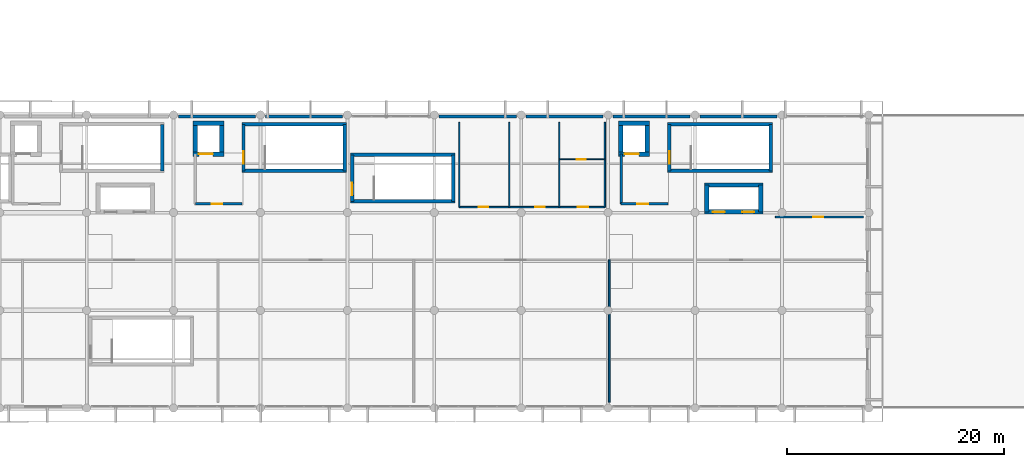
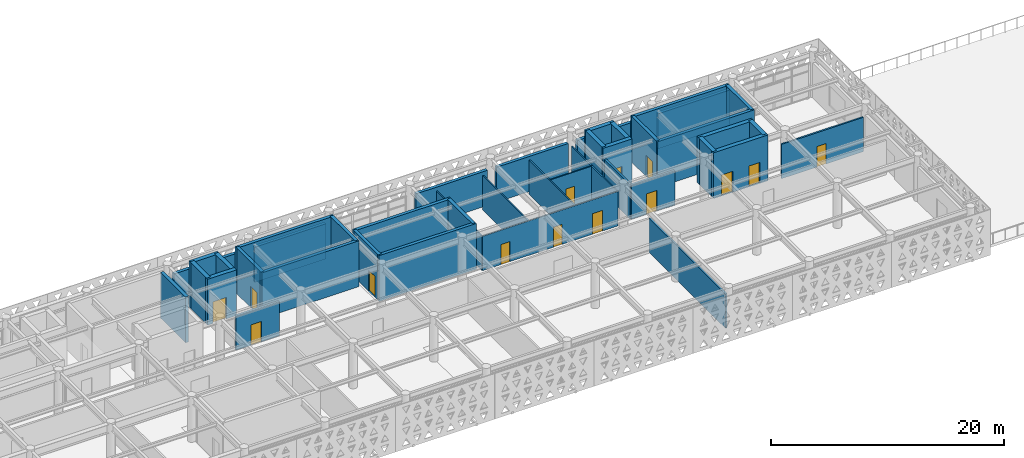
# One storey, part 20 of 26: 42 walls, 14 doors, 14 openings.
"""IFC4 building model written with IfcOpenShell, lengths in metres."""

from ifc_helpers import new_model, si_unit, direction, frame, frame_2d, origin, place, context, subcontext, project, spatial, rectangle, extrude, material, layer, layer_set, type_object, element, fill, save


model = new_model("IFC4")

# Units and contexts
model_context = context("Model", 3, precision=1e-05, world=origin(), true_north=direction((0.0, 1.0)))
body_context = subcontext(model_context, "Body", "Model", "MODEL_VIEW")
ifc_project = project(units=[si_unit("LENGTHUNIT", "METRE"), si_unit("AREAUNIT", "SQUARE_METRE"), si_unit("VOLUMEUNIT", "CUBIC_METRE"), si_unit("PLANEANGLEUNIT", "RADIAN"), si_unit("MASSUNIT", "GRAM", prefix="KILO")], contexts=[model_context])

# Site, building, storey
site_placement = place(None, origin())
site = spatial("IfcSite", under=ifc_project, at=site_placement, CompositionType="ELEMENT")
building_placement = place(site_placement, origin())
building = spatial("IfcBuilding", under=site, at=building_placement, Name="Tlacozan Convention Centre", CompositionType="ELEMENT")
storey_placement = place(building_placement, frame((0.0, 0.0, 21.0)))
storey = spatial("IfcBuildingStorey", under=building, at=storey_placement, Name="L04", CompositionType="ELEMENT", Elevation=21.0)

# Walls
ifc_material_1 = material(Name="Volcanic Cantera Stone Masonry", Category="masonry")
ifc_layer_1 = layer(ifc_material_1, 0.300048828125)
ifc_layer_set_1 = layer_set([ifc_layer_1], Name="Volcanic Cantera Stone Masonry")
wall_type_1 = type_object("IfcWallType", Name="Congress Spandrel Backup Wall 300", PredefinedType="SOLIDWALL", material=ifc_layer_set_1)
for number, where, z_axis, x_axis, name in (
    (1, (32.449951171875, 26.840087890625, 0.0), (0.0, 0.0, 1.0), (1.0, 0.0, 0.0), "L04 Congress Spandrel Backup Wall 300 142"),
    (2, (40.449951171875, 26.840087890625, 0.0), (0.0, 0.0, 1.0), (1.0, 0.0, 0.0), "L04 Congress Spandrel Backup Wall 300 143"),
    (3, (56.449951171875, 26.840087890625, 0.0), (0.0, 0.0, 1.0), (1.0, 0.0, 0.0), "L04 Congress Spandrel Backup Wall 300 144"),
    (4, (64.449951171875, 26.840087890625, 0.0), (0.0, 0.0, 1.0), (1.0, 0.0, 0.0), "L04 Congress Spandrel Backup Wall 300 145"),
    (5, (72.449951171875, 26.840087890625, 0.0), (0.0, 0.0, 1.0), (1.0, 0.0, 0.0), "L04 Congress Spandrel Backup Wall 300 146"),
    (6, (80.449951171875, 26.840087890625, 0.0), (0.0, 0.0, 1.0), (1.0, 0.0, 0.0), "L04 Congress Spandrel Backup Wall 300 147"),
):
    element("IfcWall", number, at=place(storey_placement, frame(where, z_axis=z_axis, x_axis=x_axis)), inside=storey, type_object=wall_type_1, Name=name, PredefinedType="SOLIDWALL", context=body_context, shape_type="SweptSolid", body=[
        extrude(rectangle(XDim=7.10009765625, YDim=0.300048828125, at=frame_2d((3.550048828125, 0.0))), origin(), (0.0, 0.0, 1.0), 3.679931640625),
    ])

# Wall, opening, door
ifc_material_2 = material(Name="Concrete C40/50", Category="concrete")
ifc_layer_2 = layer(ifc_material_2, 0.409912109375)
ifc_layer_set_2 = layer_set([ifc_layer_2], Name="Concrete C40/50")
wall_type_2 = type_object("IfcWallType", Name="Core Shear Wall RC 410", PredefinedType="SHEAR", material=ifc_layer_set_2)
wall_1_placement = place(storey_placement, frame((72.97509765625, 23.3798828125, 0.0), z_axis=(0.0, 0.0, 1.0), x_axis=(1.0, 0.0, 0.0)))
wall_1 = element("IfcWall", 7, at=wall_1_placement, inside=storey, type_object=wall_type_2, Name="L04 Core Shear Wall RC 410 161", PredefinedType="SHEAR", context=body_context, shape_type="SweptSolid", body=[
    extrude(rectangle(XDim=2.849853515625, YDim=0.409912109375, at=frame_2d((1.4248046875, 0.0))), origin(), (0.0, 0.0, 1.0), 4.800048828125),
])
opening_1_placement = place(wall_1_placement, frame((0.550048828125, 0.0, 0.0)))
opening_1 = element("IfcOpeningElement", 8, at=opening_1_placement, cuts=wall_1, Name="Opening LD-02", PredefinedType="OPENING", context=body_context, shape_type="SweptSolid", body=[
    extrude(rectangle(XDim=1.300048828125, YDim=2.25, at=frame_2d((0.64990234375, 1.125))), frame((0.0, 0.21484375, 0.0), z_axis=(0.0, -1.0, 0.0), x_axis=(1.0, 0.0, 0.0)), (0.0, 0.0, 1.0), 0.429931640625),
])
ifc_material_3 = material(Name="Brushed Stainless Steel Sliding Landing Door", Category="steel")
door_type_1 = type_object("IfcDoorType", Name="Firefighting Lift Sliding Door 1300x2250", OperationType="DOUBLE_DOOR_SLIDING", PredefinedType="DOOR", material=ifc_material_3)
door_1_placement = place(opening_1_placement, origin())
door_1 = element("IfcDoor", 9, at=door_1_placement, inside=storey, type_object=door_type_1, Name="L04 Firefighting Lift FL-02 Landing Door", OperationType="DOUBLE_DOOR_SLIDING", OverallHeight=2.25, OverallWidth=1.300048828125, PredefinedType="DOOR", context=body_context, shape_type="SweptSolid", body=[
    extrude(rectangle(XDim=1.300048828125, YDim=2.25, at=frame_2d((0.64990234375, 1.125))), frame((0.0, 0.02490234375, 0.0), z_axis=(0.0, -1.0, 0.0), x_axis=(1.0, 0.0, 0.0)), (0.0, 0.0, 1.0), 0.050048828125),
])
fill(opening_1, door_1)

# Walls
wall_2_placement = place(storey_placement, frame((72.97509765625, 26.219970703125, 0.0), z_axis=(0.0, 0.0, 1.0), x_axis=(1.0, 0.0, 0.0)))
element("IfcWall", 10, at=wall_2_placement, inside=storey, type_object=wall_type_2, Name="L04 Core Shear Wall RC 410 162", PredefinedType="SHEAR", context=body_context, shape_type="SweptSolid", body=[
    extrude(rectangle(XDim=2.849853515625, YDim=0.409912109375, at=frame_2d((1.4248046875, 0.0))), origin(), (0.0, 0.0, 1.0), 4.800048828125),
])
for number, where, z_axis, x_axis, name in (
    (11, (73.179931640625, 23.3798828125, 0.0), (0.0, 0.0, 1.0), (0.0, 1.0, 0.0), "L04 Core Shear Wall RC 410 163"),
    (12, (75.6201171875, 23.3798828125, 0.0), (0.0, 0.0, 1.0), (0.0, 1.0, 0.0), "L04 Core Shear Wall RC 410 164"),
):
    element("IfcWall", number, at=place(storey_placement, frame(where, z_axis=z_axis, x_axis=x_axis)), inside=storey, type_object=wall_type_2, Name=name, PredefinedType="SHEAR", context=body_context, shape_type="SweptSolid", body=[
        extrude(rectangle(XDim=2.840087890625, YDim=0.409912109375, at=frame_2d((1.419921875, 0.0))), origin(), (0.0, 0.0, 1.0), 4.800048828125),
    ])

# Wall, openings, doors
wall_3_placement = place(storey_placement, frame((80.85498046875, 18.06005859375, 0.0), z_axis=(0.0, 0.0, 1.0), x_axis=(1.0, 0.0, 0.0)))
wall_3 = element("IfcWall", 13, at=wall_3_placement, inside=storey, type_object=wall_type_2, Name="L04 Core Shear Wall RC 410 165", PredefinedType="SHEAR", context=body_context, shape_type="SweptSolid", body=[
    extrude(rectangle(XDim=5.39013671875, YDim=0.409912109375, at=frame_2d((2.695068359375, 0.0))), origin(), (0.0, 0.0, 1.0), 4.800048828125),
])
opening_2_placement = place(wall_3_placement, frame((0.794921875, 0.0, 0.0)))
opening_2 = element("IfcOpeningElement", 14, at=opening_2_placement, cuts=wall_3, Name="Opening LD-01", PredefinedType="OPENING", context=body_context, shape_type="SweptSolid", body=[
    extrude(rectangle(XDim=1.10009765625, YDim=2.199951171875, at=frame_2d((0.550048828125, 1.10009765625))), frame((0.0, 0.21484375, 0.0), z_axis=(0.0, -1.0, 0.0), x_axis=(1.0, 0.0, 0.0)), (0.0, 0.0, 1.0), 0.429931640625),
])
opening_3_placement = place(wall_3_placement, frame((3.4951171875, 0.0, 0.0)))
opening_3 = element("IfcOpeningElement", 15, at=opening_3_placement, cuts=wall_3, Name="Opening LD-01", PredefinedType="OPENING", context=body_context, shape_type="SweptSolid", body=[
    extrude(rectangle(XDim=1.10009765625, YDim=2.199951171875, at=frame_2d((0.550048828125, 1.10009765625))), frame((0.0, 0.21484375, 0.0), z_axis=(0.0, -1.0, 0.0), x_axis=(1.0, 0.0, 0.0)), (0.0, 0.0, 1.0), 0.429931640625),
])
door_type_2 = type_object("IfcDoorType", Name="Lift Sliding Landing Door 1100x2200", OperationType="DOUBLE_DOOR_SLIDING", PredefinedType="DOOR", material=ifc_material_3)
door_2_placement = place(opening_2_placement, origin())
door_2 = element("IfcDoor", 16, at=door_2_placement, inside=storey, type_object=door_type_2, Name="L04 Lift PL-03 Landing Door", OperationType="DOUBLE_DOOR_SLIDING", OverallHeight=2.199951171875, OverallWidth=1.10009765625, PredefinedType="DOOR", context=body_context, shape_type="SweptSolid", body=[
    extrude(rectangle(XDim=1.10009765625, YDim=2.199951171875, at=frame_2d((0.550048828125, 1.10009765625))), frame((0.0, 0.02490234375, 0.0), z_axis=(0.0, -1.0, 0.0), x_axis=(1.0, 0.0, 0.0)), (0.0, 0.0, 1.0), 0.050048828125),
])
fill(opening_2, door_2)
door_3_placement = place(opening_3_placement, origin())
door_3 = element("IfcDoor", 17, at=door_3_placement, inside=storey, type_object=door_type_2, Name="L04 Lift PL-04 Landing Door", OperationType="DOUBLE_DOOR_SLIDING", OverallHeight=2.199951171875, OverallWidth=1.10009765625, PredefinedType="DOOR", context=body_context, shape_type="SweptSolid", body=[
    extrude(rectangle(XDim=1.10009765625, YDim=2.199951171875, at=frame_2d((0.550048828125, 1.10009765625))), frame((0.0, 0.02490234375, 0.0), z_axis=(0.0, -1.0, 0.0), x_axis=(1.0, 0.0, 0.0)), (0.0, 0.0, 1.0), 0.050048828125),
])
fill(opening_3, door_3)

# Walls
wall_4_placement = place(storey_placement, frame((80.85498046875, 20.5400390625, 0.0), z_axis=(0.0, 0.0, 1.0), x_axis=(1.0, 0.0, 0.0)))
element("IfcWall", 18, at=wall_4_placement, inside=storey, type_object=wall_type_2, Name="L04 Core Shear Wall RC 410 166", PredefinedType="SHEAR", context=body_context, shape_type="SweptSolid", body=[
    extrude(rectangle(XDim=5.39013671875, YDim=0.409912109375, at=frame_2d((2.695068359375, 0.0))), origin(), (0.0, 0.0, 1.0), 4.800048828125),
])
for number, where, z_axis, x_axis, name in (
    (19, (81.06005859375, 18.06005859375, 0.0), (0.0, 0.0, 1.0), (0.0, 1.0, 0.0), "L04 Core Shear Wall RC 410 167"),
    (20, (86.0400390625, 18.06005859375, 0.0), (0.0, 0.0, 1.0), (0.0, 1.0, 0.0), "L04 Core Shear Wall RC 410 168"),
):
    element("IfcWall", number, at=place(storey_placement, frame(where, z_axis=z_axis, x_axis=x_axis)), inside=storey, type_object=wall_type_2, Name=name, PredefinedType="SHEAR", context=body_context, shape_type="SweptSolid", body=[
        extrude(rectangle(XDim=2.47998046875, YDim=0.409912109375, at=frame_2d((1.239990234375, 0.0))), origin(), (0.0, 0.0, 1.0), 4.800048828125),
    ])

# Wall, opening, door
wall_5_placement = place(storey_placement, frame((33.77490234375, 23.3798828125, 0.0), z_axis=(0.0, 0.0, 1.0), x_axis=(1.0, 0.0, 0.0)))
wall_5 = element("IfcWall", 21, at=wall_5_placement, inside=storey, type_object=wall_type_2, Name="L04 Core Shear Wall RC 410 225", PredefinedType="SHEAR", context=body_context, shape_type="SweptSolid", body=[
    extrude(rectangle(XDim=2.85009765625, YDim=0.409912109375, at=frame_2d((1.425048828125, 0.0))), origin(), (0.0, 0.0, 1.0), 4.800048828125),
])
opening_4_placement = place(wall_5_placement, frame((0.550048828125, 0.0, 0.0)))
opening_4 = element("IfcOpeningElement", 22, at=opening_4_placement, cuts=wall_5, Name="Opening LD-02", PredefinedType="OPENING", context=body_context, shape_type="SweptSolid", body=[
    extrude(rectangle(XDim=1.300048828125, YDim=2.25, at=frame_2d((0.64990234375, 1.125))), frame((0.0, 0.21484375, 0.0), z_axis=(0.0, -1.0, 0.0), x_axis=(1.0, 0.0, 0.0)), (0.0, 0.0, 1.0), 0.429931640625),
])
door_4_placement = place(opening_4_placement, origin())
door_4 = element("IfcDoor", 23, at=door_4_placement, inside=storey, type_object=door_type_1, Name="L04 Firefighting Lift FL-03 Landing Door", OperationType="DOUBLE_DOOR_SLIDING", OverallHeight=2.25, OverallWidth=1.300048828125, PredefinedType="DOOR", context=body_context, shape_type="SweptSolid", body=[
    extrude(rectangle(XDim=1.300048828125, YDim=2.25, at=frame_2d((0.64990234375, 1.125))), frame((0.0, 0.02490234375, 0.0), z_axis=(0.0, -1.0, 0.0), x_axis=(1.0, 0.0, 0.0)), (0.0, 0.0, 1.0), 0.050048828125),
])
fill(opening_4, door_4)

# Walls
wall_6_placement = place(storey_placement, frame((33.77490234375, 26.219970703125, 0.0), z_axis=(0.0, 0.0, 1.0), x_axis=(1.0, 0.0, 0.0)))
element("IfcWall", 24, at=wall_6_placement, inside=storey, type_object=wall_type_2, Name="L04 Core Shear Wall RC 410 226", PredefinedType="SHEAR", context=body_context, shape_type="SweptSolid", body=[
    extrude(rectangle(XDim=2.85009765625, YDim=0.409912109375, at=frame_2d((1.425048828125, 0.0))), origin(), (0.0, 0.0, 1.0), 4.800048828125),
])
for number, where, z_axis, x_axis, name in (
    (25, (33.97998046875, 23.3798828125, 0.0), (0.0, 0.0, 1.0), (0.0, 1.0, 0.0), "L04 Core Shear Wall RC 410 227"),
    (26, (36.419921875, 23.3798828125, 0.0), (0.0, 0.0, 1.0), (0.0, 1.0, 0.0), "L04 Core Shear Wall RC 410 228"),
):
    element("IfcWall", number, at=place(storey_placement, frame(where, z_axis=z_axis, x_axis=x_axis)), inside=storey, type_object=wall_type_2, Name=name, PredefinedType="SHEAR", context=body_context, shape_type="SweptSolid", body=[
        extrude(rectangle(XDim=2.840087890625, YDim=0.409912109375, at=frame_2d((1.419921875, 0.0))), origin(), (0.0, 0.0, 1.0), 4.800048828125),
    ])

# Wall, opening, door
ifc_material_4 = material(Name="Fire-Rated Gypsum Stud Partition Assembly")
ifc_layer_3 = layer(ifc_material_4, 0.2099609375)
ifc_layer_set_3 = layer_set([ifc_layer_3], Name="Fire-Rated Gypsum Stud Partition Assembly")
wall_type_3 = type_object("IfcWallType", Name="Firefighting Lobby Rated Wall 210", PredefinedType="PARTITIONING", material=ifc_layer_set_3)
wall_7_placement = place(storey_placement, frame((73.199951171875, 18.800048828125, 0.0), z_axis=(0.0, 0.0, 1.0), x_axis=(1.0, 0.0, 0.0)))
wall_7 = element("IfcWall", 27, at=wall_7_placement, inside=storey, type_object=wall_type_3, Name="L04 Firefighting Lobby Rated Wall 210 159", PredefinedType="PARTITIONING", context=body_context, shape_type="SweptSolid", body=[
    extrude(rectangle(XDim=4.300048828125, YDim=0.2099609375, at=frame_2d((2.14990234375, 0.0))), origin(), (0.0, 0.0, 1.0), 3.60009765625),
])
opening_5_placement = place(wall_7_placement, frame((1.5, 0.0, 0.0)))
opening_5 = element("IfcOpeningElement", 28, at=opening_5_placement, cuts=wall_7, Name="Opening FD-01", PredefinedType="OPENING", context=body_context, shape_type="SweptSolid", body=[
    extrude(rectangle(XDim=1.0, YDim=2.14990234375, at=frame_2d((0.5, 1.074951171875))), frame((0.0, 0.114990234375, 0.0), z_axis=(0.0, -1.0, 0.0), x_axis=(1.0, 0.0, 0.0)), (0.0, 0.0, 1.0), 0.22998046875),
])
ifc_material_5 = material(Name="Fire-Rated Insulated Steel Door Leaf", Category="steel")
door_type_3 = type_object("IfcDoorType", Name="Fire Door Single 1000x2150 FD90", OperationType="NOTDEFINED", PredefinedType="DOOR", material=ifc_material_5)
door_5_placement = place(opening_5_placement, origin())
door_5 = element("IfcDoor", 29, at=door_5_placement, inside=storey, type_object=door_type_3, Name="L04 CORE-2 Firefighting Lobby Entry Door", OperationType="SINGLE_SWING_RIGHT", OverallHeight=2.14990234375, OverallWidth=1.0, PredefinedType="DOOR", context=body_context, shape_type="SweptSolid", body=[
    extrude(rectangle(XDim=1.0, YDim=2.14990234375, at=frame_2d((0.5, 1.074951171875))), frame((0.0, 0.02490234375, 0.0), z_axis=(0.0, -1.0, 0.0), x_axis=(1.0, 0.0, 0.0)), (0.0, 0.0, 1.0), 0.050048828125),
])
fill(opening_5, door_5)

# Wall
wall_8_placement = place(storey_placement, frame((73.199951171875, 18.800048828125, 0.0), z_axis=(0.0, 0.0, 1.0), x_axis=(0.0, 1.0, 0.0)))
element("IfcWall", 30, at=wall_8_placement, inside=storey, type_object=wall_type_3, Name="L04 Firefighting Lobby Rated Wall 210 160", PredefinedType="PARTITIONING", context=body_context, shape_type="SweptSolid", body=[
    extrude(rectangle(XDim=4.599853515625, YDim=0.2099609375, at=frame_2d((2.2998046875, 0.0))), origin(), (0.0, 0.0, 1.0), 3.60009765625),
])

# Wall, opening, door
wall_9_placement = place(storey_placement, frame((34.0, 18.800048828125, 0.0), z_axis=(0.0, 0.0, 1.0), x_axis=(1.0, 0.0, 0.0)))
wall_9 = element("IfcWall", 31, at=wall_9_placement, inside=storey, type_object=wall_type_3, Name="L04 Firefighting Lobby Rated Wall 210 223", PredefinedType="PARTITIONING", context=body_context, shape_type="SweptSolid", body=[
    extrude(rectangle(XDim=4.300048828125, YDim=0.2099609375, at=frame_2d((2.14990234375, 0.0))), origin(), (0.0, 0.0, 1.0), 3.60009765625),
])
opening_6_placement = place(wall_9_placement, frame((1.5, 0.0, 0.0)))
opening_6 = element("IfcOpeningElement", 32, at=opening_6_placement, cuts=wall_9, Name="Opening FD-01", PredefinedType="OPENING", context=body_context, shape_type="SweptSolid", body=[
    extrude(rectangle(XDim=1.0, YDim=2.14990234375, at=frame_2d((0.5, 1.074951171875))), frame((0.0, 0.114990234375, 0.0), z_axis=(0.0, -1.0, 0.0), x_axis=(1.0, 0.0, 0.0)), (0.0, 0.0, 1.0), 0.22998046875),
])
door_6_placement = place(opening_6_placement, origin())
door_6 = element("IfcDoor", 33, at=door_6_placement, inside=storey, type_object=door_type_3, Name="L04 CORE-3 Firefighting Lobby Entry Door", OperationType="SINGLE_SWING_RIGHT", OverallHeight=2.14990234375, OverallWidth=1.0, PredefinedType="DOOR", context=body_context, shape_type="SweptSolid", body=[
    extrude(rectangle(XDim=1.0, YDim=2.14990234375, at=frame_2d((0.5, 1.074951171875))), frame((0.0, 0.02490234375, 0.0), z_axis=(0.0, -1.0, 0.0), x_axis=(1.0, 0.0, 0.0)), (0.0, 0.0, 1.0), 0.050048828125),
])
fill(opening_6, door_6)

# Wall
ifc_material_6 = material(Name="Acoustic Double-Stud Partition Assembly")
ifc_layer_4 = layer(ifc_material_6, 0.159912109375)
ifc_layer_set_4 = layer_set([ifc_layer_4], Name="Acoustic Double-Stud Partition Assembly")
wall_type_4 = type_object("IfcWallType", Name="Meeting Acoustic Partition 160", PredefinedType="PARTITIONING", material=ifc_layer_set_4)
wall_10_placement = place(storey_placement, frame((72.10009765625, 0.550048828125, 0.0), z_axis=(0.0, 0.0, 1.0), x_axis=(0.0, 1.0, 0.0)))
element("IfcWall", 34, at=wall_10_placement, inside=storey, type_object=wall_type_4, Name="L04 Meeting Acoustic Partition 160 614", PredefinedType="PARTITIONING", context=body_context, shape_type="SweptSolid", body=[
    extrude(rectangle(XDim=13.099853515625, YDim=0.159912109375, at=frame_2d((6.5498046875, 0.0))), origin(), (0.0, 0.0, 1.0), 3.60009765625),
])

# Wall, opening, door
wall_11_placement = place(storey_placement, frame((87.39990234375, 17.60009765625, 0.0), z_axis=(0.0, 0.0, 1.0), x_axis=(1.0, 0.0, 0.0)))
wall_11 = element("IfcWall", 35, at=wall_11_placement, inside=storey, type_object=wall_type_4, Name="L04 Meeting Acoustic Partition 160 616", PredefinedType="PARTITIONING", context=body_context, shape_type="SweptSolid", body=[
    extrude(rectangle(XDim=8.10009765625, YDim=0.159912109375, at=frame_2d((4.050048828125, 0.0))), origin(), (0.0, 0.0, 1.0), 3.60009765625),
])
opening_7_placement = place(wall_11_placement, frame((3.5, 0.0, 0.0)))
opening_7 = element("IfcOpeningElement", 36, at=opening_7_placement, cuts=wall_11, Name="Opening ID-03", PredefinedType="OPENING", context=body_context, shape_type="SweptSolid", body=[
    extrude(rectangle(XDim=0.89990234375, YDim=2.14990234375, at=frame_2d((0.449951171875, 1.074951171875))), frame((0.0, 0.08984375, 0.0), z_axis=(0.0, -1.0, 0.0), x_axis=(1.0, 0.0, 0.0)), (0.0, 0.0, 1.0), 0.179931640625),
])
ifc_material_7 = material(Name="Acoustic Solid-Core Oak Veneer Door")
door_type_4 = type_object("IfcDoorType", Name="Office Single Door 900x2150", OperationType="NOTDEFINED", PredefinedType="DOOR", material=ifc_material_7)
door_7_placement = place(opening_7_placement, origin())
door_7 = element("IfcDoor", 37, at=door_7_placement, inside=storey, type_object=door_type_4, Name="L04 Office Single Door 900x2150 210", OperationType="SINGLE_SWING_LEFT", OverallHeight=2.14990234375, OverallWidth=0.89990234375, PredefinedType="DOOR", context=body_context, shape_type="SweptSolid", body=[
    extrude(rectangle(XDim=0.89990234375, YDim=2.14990234375, at=frame_2d((0.449951171875, 1.074951171875))), frame((0.0, 0.02490234375, 0.0), z_axis=(0.0, -1.0, 0.0), x_axis=(1.0, 0.0, 0.0)), (0.0, 0.0, 1.0), 0.050048828125),
])
fill(opening_7, door_7)

# Wall, openings, doors
ifc_layer_5 = layer(ifc_material_6, 0.1201171875)
ifc_layer_set_5 = layer_set([ifc_layer_5], Name="Acoustic Double-Stud Partition Assembly")
wall_type_5 = type_object("IfcWallType", Name="Sanitary Tile Partition 120", PredefinedType="PARTITIONING", material=ifc_layer_set_5)
wall_12_placement = place(storey_placement, frame((58.300048828125, 18.5, 0.0), z_axis=(0.0, 0.0, 1.0), x_axis=(1.0, 0.0, 0.0)))
wall_12 = element("IfcWall", 38, at=wall_12_placement, inside=storey, type_object=wall_type_5, Name="L04 Sanitary Tile Partition 120 555", PredefinedType="PARTITIONING", context=body_context, shape_type="SweptSolid", body=[
    extrude(rectangle(XDim=13.39990234375, YDim=0.1201171875, at=frame_2d((6.699951171875, 0.0))), origin(), (0.0, 0.0, 1.0), 3.60009765625),
])
opening_8_placement = place(wall_12_placement, frame((1.800048828125, 0.0, 0.0)))
opening_8 = element("IfcOpeningElement", 39, at=opening_8_placement, cuts=wall_12, Name="Opening ID-05", PredefinedType="OPENING", context=body_context, shape_type="SweptSolid", body=[
    extrude(rectangle(XDim=0.8798828125, YDim=2.10009765625, at=frame_2d((0.43994140625, 1.050048828125))), frame((0.0, 0.070068359375, 0.0), z_axis=(0.0, -1.0, 0.0), x_axis=(1.0, 0.0, 0.0)), (0.0, 0.0, 1.0), 0.14013671875),
])
opening_9_placement = place(wall_12_placement, frame((7.0, 0.0, 0.0)))
opening_9 = element("IfcOpeningElement", 40, at=opening_9_placement, cuts=wall_12, Name="Opening ID-05", PredefinedType="OPENING", context=body_context, shape_type="SweptSolid", body=[
    extrude(rectangle(XDim=0.8798828125, YDim=2.10009765625, at=frame_2d((0.43994140625, 1.050048828125))), frame((0.0, 0.070068359375, 0.0), z_axis=(0.0, -1.0, 0.0), x_axis=(1.0, 0.0, 0.0)), (0.0, 0.0, 1.0), 0.14013671875),
])
opening_10_placement = place(wall_12_placement, frame((10.89990234375, 0.0, 0.0)))
opening_10 = element("IfcOpeningElement", 41, at=opening_10_placement, cuts=wall_12, Name="Opening ID-04", PredefinedType="OPENING", context=body_context, shape_type="SweptSolid", body=[
    extrude(rectangle(XDim=0.97998046875, YDim=2.14990234375, at=frame_2d((0.489990234375, 1.074951171875))), frame((0.0, 0.070068359375, 0.0), z_axis=(0.0, -1.0, 0.0), x_axis=(1.0, 0.0, 0.0)), (0.0, 0.0, 1.0), 0.14013671875),
])
door_type_5 = type_object("IfcDoorType", Name="Accessible Restroom Door 980x2150", OperationType="NOTDEFINED", PredefinedType="DOOR", material=ifc_material_7)
door_8_placement = place(opening_10_placement, origin())
door_8 = element("IfcDoor", 42, at=door_8_placement, inside=storey, type_object=door_type_5, Name="L04 Accessible Restroom Door", OperationType="SINGLE_SWING_LEFT", OverallHeight=2.14990234375, OverallWidth=0.97998046875, PredefinedType="DOOR", context=body_context, shape_type="SweptSolid", body=[
    extrude(rectangle(XDim=0.97998046875, YDim=2.14990234375, at=frame_2d((0.489990234375, 1.074951171875))), frame((0.0, 0.02490234375, 0.0), z_axis=(0.0, -1.0, 0.0), x_axis=(1.0, 0.0, 0.0)), (0.0, 0.0, 1.0), 0.050048828125),
])
fill(opening_10, door_8)
door_type_6 = type_object("IfcDoorType", Name="Restroom Single Door 880x2100", OperationType="NOTDEFINED", PredefinedType="DOOR", material=ifc_material_7)
door_9_placement = place(opening_8_placement, origin())
door_9 = element("IfcDoor", 43, at=door_9_placement, inside=storey, type_object=door_type_6, Name="L04 Male Restroom Door", OperationType="SINGLE_SWING_LEFT", OverallHeight=2.10009765625, OverallWidth=0.8798828125, PredefinedType="DOOR", context=body_context, shape_type="SweptSolid", body=[
    extrude(rectangle(XDim=0.8798828125, YDim=2.10009765625, at=frame_2d((0.43994140625, 1.050048828125))), frame((0.0, 0.02490234375, 0.0), z_axis=(0.0, -1.0, 0.0), x_axis=(1.0, 0.0, 0.0)), (0.0, 0.0, 1.0), 0.050048828125),
])
fill(opening_8, door_9)
door_10_placement = place(opening_9_placement, origin())
door_10 = element("IfcDoor", 44, at=door_10_placement, inside=storey, type_object=door_type_6, Name="L04 Female Restroom Door", OperationType="SINGLE_SWING_RIGHT", OverallHeight=2.10009765625, OverallWidth=0.8798828125, PredefinedType="DOOR", context=body_context, shape_type="SweptSolid", body=[
    extrude(rectangle(XDim=0.8798828125, YDim=2.10009765625, at=frame_2d((0.43994140625, 1.050048828125))), frame((0.0, 0.02490234375, 0.0), z_axis=(0.0, -1.0, 0.0), x_axis=(1.0, 0.0, 0.0)), (0.0, 0.0, 1.0), 0.050048828125),
])
fill(opening_9, door_10)

# Walls
for number, where, z_axis, x_axis, name in (
    (45, (58.300048828125, 18.5, 0.0), (0.0, 0.0, 1.0), (0.0, 1.0, 0.0), "L04 Sanitary Tile Partition 120 556"),
    (46, (62.89990234375, 18.5, 0.0), (0.0, 0.0, 1.0), (0.0, 1.0, 0.0), "L04 Sanitary Tile Partition 120 557"),
    (47, (67.5, 18.5, 0.0), (0.0, 0.0, 1.0), (0.0, 1.0, 0.0), "L04 Sanitary Tile Partition 120 558"),
    (48, (71.699951171875, 18.5, 0.0), (0.0, 0.0, 1.0), (0.0, 1.0, 0.0), "L04 Sanitary Tile Partition 120 559"),
):
    element("IfcWall", number, at=place(storey_placement, frame(where, z_axis=z_axis, x_axis=x_axis)), inside=storey, type_object=wall_type_5, Name=name, PredefinedType="PARTITIONING", context=body_context, shape_type="SweptSolid", body=[
        extrude(rectangle(XDim=7.800048828125, YDim=0.1201171875, at=frame_2d((3.89990234375, 0.0))), origin(), (0.0, 0.0, 1.0), 3.60009765625),
    ])

# Wall, opening, door
ifc_layer_6 = layer(ifc_material_4, 0.10009765625)
ifc_layer_set_6 = layer_set([ifc_layer_6], Name="Fire-Rated Gypsum Stud Partition Assembly")
wall_type_6 = type_object("IfcWallType", Name="Service Duct Partition 100", PredefinedType="PARTITIONING", material=ifc_layer_set_6)
wall_13_placement = place(storey_placement, frame((67.5, 22.89990234375, 0.0), z_axis=(0.0, 0.0, 1.0), x_axis=(1.0, 0.0, 0.0)))
wall_13 = element("IfcWall", 49, at=wall_13_placement, inside=storey, type_object=wall_type_6, Name="L04 Service Duct Partition 100 560", PredefinedType="PARTITIONING", context=body_context, shape_type="SweptSolid", body=[
    extrude(rectangle(XDim=4.199951171875, YDim=0.10009765625, at=frame_2d((2.10009765625, 0.0))), origin(), (0.0, 0.0, 1.0), 3.60009765625),
])
opening_11_placement = place(wall_13_placement, frame((1.60009765625, 0.0, 0.0)))
opening_11 = element("IfcOpeningElement", 50, at=opening_11_placement, cuts=wall_13, Name="Opening ID-06", PredefinedType="OPENING", context=body_context, shape_type="SweptSolid", body=[
    extrude(rectangle(XDim=0.85009765625, YDim=2.10009765625, at=frame_2d((0.425048828125, 1.050048828125))), frame((0.0, 0.06005859375, 0.0), z_axis=(0.0, -1.0, 0.0), x_axis=(1.0, 0.0, 0.0)), (0.0, 0.0, 1.0), 0.1201171875),
])
door_type_7 = type_object("IfcDoorType", Name="Service Closet Door 850x2100", OperationType="NOTDEFINED", PredefinedType="DOOR", material=ifc_material_7)
door_11_placement = place(opening_11_placement, origin())
door_11 = element("IfcDoor", 51, at=door_11_placement, inside=storey, type_object=door_type_7, Name="L04 Housekeeping Closet Door", OperationType="SINGLE_SWING_RIGHT", OverallHeight=2.10009765625, OverallWidth=0.85009765625, PredefinedType="DOOR", context=body_context, shape_type="SweptSolid", body=[
    extrude(rectangle(XDim=0.85009765625, YDim=2.10009765625, at=frame_2d((0.425048828125, 1.050048828125))), frame((0.0, 0.02490234375, 0.0), z_axis=(0.0, -1.0, 0.0), x_axis=(1.0, 0.0, 0.0)), (0.0, 0.0, 1.0), 0.050048828125),
])
fill(opening_11, door_11)

# Walls
ifc_layer_7 = layer(ifc_material_2, 0.31005859375)
ifc_layer_set_7 = layer_set([ifc_layer_7], Name="Concrete C40/50")
wall_type_7 = type_object("IfcWallType", Name="Stair Shaft Shear Wall RC 310", PredefinedType="SHEAR", material=ifc_layer_set_7)
wall_14_placement = place(storey_placement, frame((30.9599609375, 21.840087890625, 0.0), z_axis=(0.0, 0.0, 1.0), x_axis=(0.0, 1.0, 0.0)))
element("IfcWall", 52, at=wall_14_placement, inside=storey, type_object=wall_type_7, Name="L04 Stair Shaft Shear Wall RC 310 74", PredefinedType="SHEAR", context=body_context, shape_type="SweptSolid", body=[
    extrude(rectangle(XDim=4.280029296875, YDim=0.31005859375, at=frame_2d((2.14013671875, 0.0))), origin(), (0.0, 0.0, 1.0), 4.800048828125),
])
for number, where, z_axis, x_axis, name in (
    (53, (77.485107421875, 21.840087890625, 0.0), (0.0, 0.0, 1.0), (1.0, 0.0, 0.0), "L04 Stair Shaft Shear Wall RC 310 155"),
    (54, (77.485107421875, 26.1201171875, 0.0), (0.0, 0.0, 1.0), (1.0, 0.0, 0.0), "L04 Stair Shaft Shear Wall RC 310 156"),
):
    element("IfcWall", number, at=place(storey_placement, frame(where, z_axis=z_axis, x_axis=x_axis)), inside=storey, type_object=wall_type_7, Name=name, PredefinedType="SHEAR", context=body_context, shape_type="SweptSolid", body=[
        extrude(rectangle(XDim=9.6298828125, YDim=0.31005859375, at=frame_2d((4.81494140625, 0.0))), origin(), (0.0, 0.0, 1.0), 4.800048828125),
    ])

# Wall, opening, door
wall_15_placement = place(storey_placement, frame((77.639892578125, 21.840087890625, 0.0), z_axis=(0.0, 0.0, 1.0), x_axis=(0.0, 1.0, 0.0)))
wall_15 = element("IfcWall", 55, at=wall_15_placement, inside=storey, type_object=wall_type_7, Name="L04 Stair Shaft Shear Wall RC 310 157", PredefinedType="SHEAR", context=body_context, shape_type="SweptSolid", body=[
    extrude(rectangle(XDim=4.280029296875, YDim=0.31005859375, at=frame_2d((2.14013671875, 0.0))), origin(), (0.0, 0.0, 1.0), 4.800048828125),
])
opening_12_placement = place(wall_15_placement, frame((0.64990234375, 0.0, 0.0)))
opening_12 = element("IfcOpeningElement", 56, at=opening_12_placement, cuts=wall_15, Name="Opening FD-02", PredefinedType="OPENING", context=body_context, shape_type="SweptSolid", body=[
    extrude(rectangle(XDim=1.14990234375, YDim=2.199951171875, at=frame_2d((0.574951171875, 1.10009765625))), frame((0.0, 0.1650390625, 0.0), z_axis=(0.0, -1.0, 0.0), x_axis=(1.0, 0.0, 0.0)), (0.0, 0.0, 1.0), 0.330078125),
])
door_type_8 = type_object("IfcDoorType", Name="Fire Door Stair 1150x2200 FD90", OperationType="NOTDEFINED", PredefinedType="DOOR", material=ifc_material_5)
door_12_placement = place(opening_12_placement, origin())
door_12 = element("IfcDoor", 57, at=door_12_placement, inside=storey, type_object=door_type_8, Name="L04 Stair ST-02 Fire Door", OperationType="SINGLE_SWING_LEFT", OverallHeight=2.199951171875, OverallWidth=1.14990234375, PredefinedType="DOOR", context=body_context, shape_type="SweptSolid", body=[
    extrude(rectangle(XDim=1.14990234375, YDim=2.199951171875, at=frame_2d((0.574951171875, 1.10009765625))), frame((0.0, 0.02490234375, 0.0), z_axis=(0.0, -1.0, 0.0), x_axis=(1.0, 0.0, 0.0)), (0.0, 0.0, 1.0), 0.050048828125),
])
fill(opening_12, door_12)

# Walls
wall_16_placement = place(storey_placement, frame((86.9599609375, 21.840087890625, 0.0), z_axis=(0.0, 0.0, 1.0), x_axis=(0.0, 1.0, 0.0)))
element("IfcWall", 58, at=wall_16_placement, inside=storey, type_object=wall_type_7, Name="L04 Stair Shaft Shear Wall RC 310 158", PredefinedType="SHEAR", context=body_context, shape_type="SweptSolid", body=[
    extrude(rectangle(XDim=4.280029296875, YDim=0.31005859375, at=frame_2d((2.14013671875, 0.0))), origin(), (0.0, 0.0, 1.0), 4.800048828125),
])
for number, where, z_axis, x_axis, name in (
    (59, (38.284912109375, 21.840087890625, 0.0), (0.0, 0.0, 1.0), (1.0, 0.0, 0.0), "L04 Stair Shaft Shear Wall RC 310 219"),
    (60, (38.284912109375, 26.1201171875, 0.0), (0.0, 0.0, 1.0), (1.0, 0.0, 0.0), "L04 Stair Shaft Shear Wall RC 310 220"),
):
    element("IfcWall", number, at=place(storey_placement, frame(where, z_axis=z_axis, x_axis=x_axis)), inside=storey, type_object=wall_type_7, Name=name, PredefinedType="SHEAR", context=body_context, shape_type="SweptSolid", body=[
        extrude(rectangle(XDim=9.630126953125, YDim=0.31005859375, at=frame_2d((4.81494140625, 0.0))), origin(), (0.0, 0.0, 1.0), 4.800048828125),
    ])

# Wall, opening, door
wall_17_placement = place(storey_placement, frame((38.43994140625, 21.840087890625, 0.0), z_axis=(0.0, 0.0, 1.0), x_axis=(0.0, 1.0, 0.0)))
wall_17 = element("IfcWall", 61, at=wall_17_placement, inside=storey, type_object=wall_type_7, Name="L04 Stair Shaft Shear Wall RC 310 221", PredefinedType="SHEAR", context=body_context, shape_type="SweptSolid", body=[
    extrude(rectangle(XDim=4.280029296875, YDim=0.31005859375, at=frame_2d((2.14013671875, 0.0))), origin(), (0.0, 0.0, 1.0), 4.800048828125),
])
opening_13_placement = place(wall_17_placement, frame((0.64990234375, 0.0, 0.0)))
opening_13 = element("IfcOpeningElement", 62, at=opening_13_placement, cuts=wall_17, Name="Opening FD-02", PredefinedType="OPENING", context=body_context, shape_type="SweptSolid", body=[
    extrude(rectangle(XDim=1.14990234375, YDim=2.199951171875, at=frame_2d((0.574951171875, 1.10009765625))), frame((0.0, 0.1650390625, 0.0), z_axis=(0.0, -1.0, 0.0), x_axis=(1.0, 0.0, 0.0)), (0.0, 0.0, 1.0), 0.330078125),
])
door_13_placement = place(opening_13_placement, origin())
door_13 = element("IfcDoor", 63, at=door_13_placement, inside=storey, type_object=door_type_8, Name="L04 Stair ST-04 Fire Door", OperationType="SINGLE_SWING_LEFT", OverallHeight=2.199951171875, OverallWidth=1.14990234375, PredefinedType="DOOR", context=body_context, shape_type="SweptSolid", body=[
    extrude(rectangle(XDim=1.14990234375, YDim=2.199951171875, at=frame_2d((0.574951171875, 1.10009765625))), frame((0.0, 0.02490234375, 0.0), z_axis=(0.0, -1.0, 0.0), x_axis=(1.0, 0.0, 0.0)), (0.0, 0.0, 1.0), 0.050048828125),
])
fill(opening_13, door_13)

# Walls
wall_18_placement = place(storey_placement, frame((47.760009765625, 21.840087890625, 0.0), z_axis=(0.0, 0.0, 1.0), x_axis=(0.0, 1.0, 0.0)))
element("IfcWall", 64, at=wall_18_placement, inside=storey, type_object=wall_type_7, Name="L04 Stair Shaft Shear Wall RC 310 222", PredefinedType="SHEAR", context=body_context, shape_type="SweptSolid", body=[
    extrude(rectangle(XDim=4.280029296875, YDim=0.31005859375, at=frame_2d((2.14013671875, 0.0))), origin(), (0.0, 0.0, 1.0), 4.800048828125),
])
for number, where, z_axis, x_axis, name in (
    (65, (48.284912109375, 19.0400390625, 0.0), (0.0, 0.0, 1.0), (1.0, 0.0, 0.0), "L04 Stair Shaft Shear Wall RC 310 329"),
    (66, (48.284912109375, 23.320068359375, 0.0), (0.0, 0.0, 1.0), (1.0, 0.0, 0.0), "L04 Stair Shaft Shear Wall RC 310 330"),
):
    element("IfcWall", number, at=place(storey_placement, frame(where, z_axis=z_axis, x_axis=x_axis)), inside=storey, type_object=wall_type_7, Name=name, PredefinedType="SHEAR", context=body_context, shape_type="SweptSolid", body=[
        extrude(rectangle(XDim=9.630126953125, YDim=0.31005859375, at=frame_2d((4.81494140625, 0.0))), origin(), (0.0, 0.0, 1.0), 4.800048828125),
    ])

# Wall, opening, door
wall_19_placement = place(storey_placement, frame((48.43994140625, 19.0400390625, 0.0), z_axis=(0.0, 0.0, 1.0), x_axis=(0.0, 1.0, 0.0)))
wall_19 = element("IfcWall", 67, at=wall_19_placement, inside=storey, type_object=wall_type_7, Name="L04 Stair Shaft Shear Wall RC 310 331", PredefinedType="SHEAR", context=body_context, shape_type="SweptSolid", body=[
    extrude(rectangle(XDim=4.280029296875, YDim=0.31005859375, at=frame_2d((2.14013671875, 0.0))), origin(), (0.0, 0.0, 1.0), 4.800048828125),
])
opening_14_placement = place(wall_19_placement, frame((0.550048828125, 0.0, 0.0)))
opening_14 = element("IfcOpeningElement", 68, at=opening_14_placement, cuts=wall_19, Name="Opening FD-02", PredefinedType="OPENING", context=body_context, shape_type="SweptSolid", body=[
    extrude(rectangle(XDim=1.14990234375, YDim=2.199951171875, at=frame_2d((0.574951171875, 1.10009765625))), frame((0.0, 0.1650390625, 0.0), z_axis=(0.0, -1.0, 0.0), x_axis=(1.0, 0.0, 0.0)), (0.0, 0.0, 1.0), 0.330078125),
])
door_14_placement = place(opening_14_placement, origin())
door_14 = element("IfcDoor", 69, at=door_14_placement, inside=storey, type_object=door_type_8, Name="L04 Stair ST-14 Access Door", OperationType="SINGLE_SWING_LEFT", OverallHeight=2.199951171875, OverallWidth=1.14990234375, PredefinedType="DOOR", context=body_context, shape_type="SweptSolid", body=[
    extrude(rectangle(XDim=1.14990234375, YDim=2.199951171875, at=frame_2d((0.574951171875, 1.10009765625))), frame((0.0, 0.02490234375, 0.0), z_axis=(0.0, -1.0, 0.0), x_axis=(1.0, 0.0, 0.0)), (0.0, 0.0, 1.0), 0.050048828125),
])
fill(opening_14, door_14)

# Wall
wall_20_placement = place(storey_placement, frame((57.760009765625, 19.0400390625, 0.0), z_axis=(0.0, 0.0, 1.0), x_axis=(0.0, 1.0, 0.0)))
element("IfcWall", 70, at=wall_20_placement, inside=storey, type_object=wall_type_7, Name="L04 Stair Shaft Shear Wall RC 310 332", PredefinedType="SHEAR", context=body_context, shape_type="SweptSolid", body=[
    extrude(rectangle(XDim=4.280029296875, YDim=0.31005859375, at=frame_2d((2.14013671875, 0.0))), origin(), (0.0, 0.0, 1.0), 4.800048828125),
])

save(model, "model.ifc")
